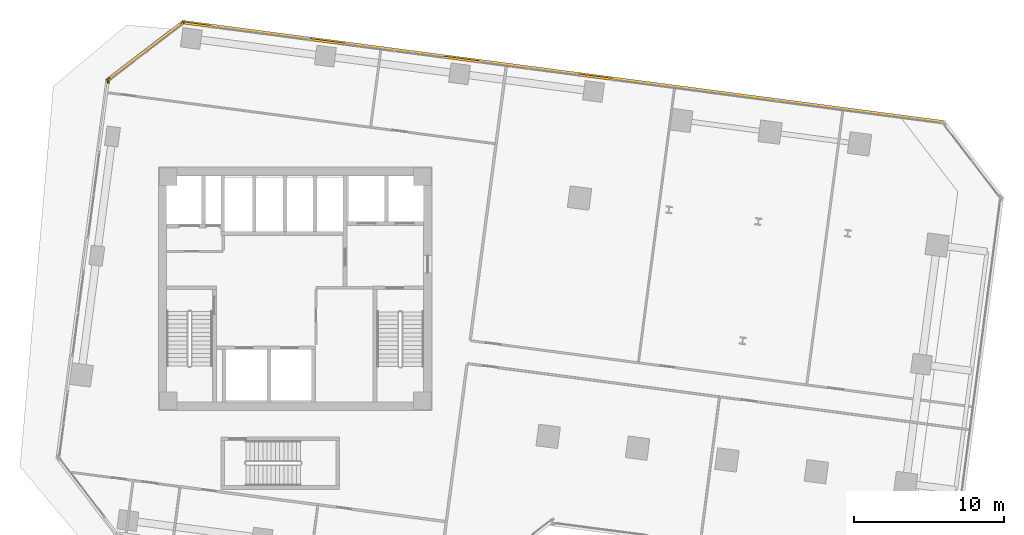
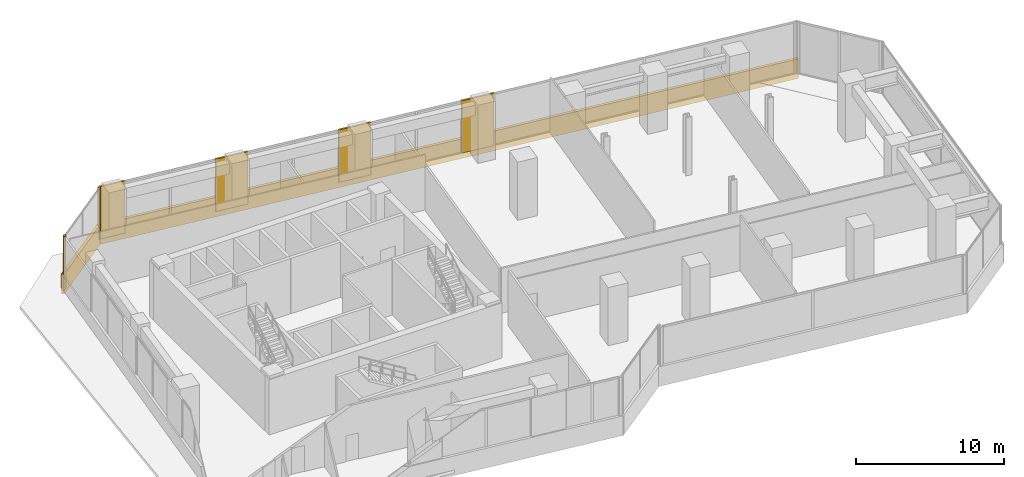
# One storey, part 24 of 24: 9 coverings.
"""IFC4 building model written with IfcOpenShell, lengths in metres."""

from ifc_helpers import new_model, si_unit, direction, frame, origin, origin_2d, place, context, subcontext, project, spatial, rectangle, extrude, source, transform, mapped, material, layer, layer_set, type_object, element, save


model = new_model("IFC4")

# Units and contexts
model_context = context("Model", 3, precision=1e-05, world=origin(), true_north=direction((0.0, 1.0)))
body_context = subcontext(model_context, "Body", "Model", "MODEL_VIEW")
ifc_project = project(units=[si_unit("LENGTHUNIT", "METRE"), si_unit("AREAUNIT", "SQUARE_METRE"), si_unit("VOLUMEUNIT", "CUBIC_METRE"), si_unit("PLANEANGLEUNIT", "RADIAN"), si_unit("MASSUNIT", "GRAM", prefix="KILO")], contexts=[model_context])

# Site, building, storey
site_placement = place(None, origin())
site = spatial("IfcSite", under=ifc_project, at=site_placement, CompositionType="ELEMENT")
building_placement = place(site_placement, origin())
building = spatial("IfcBuilding", under=site, at=building_placement, Name="Torre Montelarca", CompositionType="ELEMENT")
storey_placement = place(building_placement, frame((0.0, 0.0, 61.60009765625)))
storey = spatial("IfcBuildingStorey", under=building, at=storey_placement, Name="L13", CompositionType="ELEMENT", Elevation=61.60009765625)

# Coverings
ifc_material = material(Name="Bush-hammered warm white precast concrete C45/55", Category="concrete")
ifc_layer = layer(ifc_material, 0.139892578125, Name="Bush-hammered warm white precast concrete C45/55", Category="concrete")
ifc_layer_set = layer_set([ifc_layer], Name="Bush-hammered warm white precast concrete C45/55")
covering_type = type_object("IfcCoveringType", Name="COV-TRAY-CLAD", PredefinedType="CLADDING", material=ifc_layer_set)
shared_shape_1 = source(origin(), body_context, "Body", "SweptSolid", [
    extrude(rectangle(XDim=1.864013671875, YDim=0.139892578125, at=origin_2d()), origin(), (0.0, 0.0, 1.0), 4.320068359375),
])
covering_1_placement = place(storey_placement, frame((11.45556640625, 49.5712890625, 0.0), z_axis=(0.0, 0.0, 1.0), x_axis=(-0.991444861374, 0.13052619222, 0.0)))
element("IfcCovering", 1, at=covering_1_placement, inside=storey, type_object=covering_type, Name="L13 Architectural Column Pier Cladding E08-5", PredefinedType="CLADDING", context=body_context, shape_type="MappedRepresentation", body=[
    mapped(shared_shape_1, transform((0.0, 0.0, 0.0), scale=1.0)),
])
shared_shape_2 = source(origin(), body_context, "Body", "SweptSolid", [
    extrude(rectangle(XDim=2.360107421875, YDim=0.139892578125, at=origin_2d()), origin(), (0.0, 0.0, 1.0), 4.320068359375),
])
for number, where, z_axis, x_axis, name in (
    (2, (37.978759765625, 46.07958984375, 0.0), (0.0, 0.0, 1.0), (-0.991444861374, 0.13052619222, 0.0), "L13 Architectural Column Pier Cladding E08-2"),
    (3, (29.0556640625, 47.25439453125, 0.0), (0.0, 0.0, 1.0), (-0.991444861374, 0.13052619222, 0.0), "L13 Architectural Column Pier Cladding E08-3"),
    (4, (20.1328125, 48.42919921875, 0.0), (0.0, 0.0, 1.0), (-0.991444861374, 0.13052619222, 0.0), "L13 Architectural Column Pier Cladding E08-4"),
):
    element("IfcCovering", number, at=place(storey_placement, frame(where, z_axis=z_axis, x_axis=x_axis)), inside=storey, type_object=covering_type, Name=name, PredefinedType="CLADDING", context=body_context, shape_type="MappedRepresentation", body=[
        mapped(shared_shape_2, transform((0.0, 0.0, 0.0), scale=1.0)),
    ])
shared_shape_3 = source(origin(), body_context, "Body", "SweptSolid", [
    extrude(rectangle(XDim=0.199951171875, YDim=0.139892578125, at=origin_2d()), origin(), (0.0, 0.0, 1.0), 4.320068359375),
])
for number, where, z_axis, x_axis, name in (
    (5, (10.490478515625, 49.642578125, 0.0), (0.0, 0.0, 1.0), (-0.793343777791, -0.608773890899, 0.0), "L13 Architectural Column Pier Cladding E09-1"),
    (6, (5.625244140625, 45.9091796875, 0.0), (0.0, 0.0, 1.0), (-0.793343777791, -0.608773890899, 0.0), "L13 Architectural Column Pier Cladding E09-2"),
    (7, (5.552734375, 45.783447265625, 0.0), (0.0, 0.0, 1.0), (-0.130527922618, -0.991444633561, 0.0), "L13 Architectural Column Pier Cladding E10-1"),
):
    element("IfcCovering", number, at=place(storey_placement, frame(where, z_axis=z_axis, x_axis=x_axis)), inside=storey, type_object=covering_type, Name=name, PredefinedType="CLADDING", context=body_context, shape_type="MappedRepresentation", body=[
        mapped(shared_shape_3, transform((0.0, 0.0, 0.0), scale=1.0)),
    ])
shared_shape_4 = source(origin(), body_context, "Body", "SweptSolid", [
    extrude(rectangle(XDim=6.48388671875, YDim=0.219970703125, at=origin_2d()), origin(), (0.0, 0.0, 1.0), 1.6201171875),
])
covering_2_placement = place(storey_placement, frame((8.021240234375, 47.823486328125, -0.4501953125), z_axis=(0.0, 0.0, 1.0), x_axis=(-0.793350152813, -0.608765582989, 0.0)))
element("IfcCovering", 8, at=covering_2_placement, inside=storey, type_object=covering_type, Name="L13 Architectural White Spandrel Tray Band TRYBOT-09", PredefinedType="CLADDING", context=body_context, shape_type="MappedRepresentation", body=[
    mapped(shared_shape_4, transform((0.0, 0.0, 0.0), scale=1.0)),
])
shared_shape_5 = source(origin(), body_context, "Body", "SweptSolid", [
    extrude(rectangle(XDim=51.219970703125, YDim=0.219970703125, at=origin_2d()), origin(), (0.0, 0.0, 1.0), 1.6201171875),
])
covering_3_placement = place(storey_placement, frame((35.85498046875, 46.419677734375, -0.4501953125), z_axis=(0.0, 0.0, 1.0), x_axis=(-0.991444861374, 0.13052619222, 0.0)))
element("IfcCovering", 9, at=covering_3_placement, inside=storey, type_object=covering_type, Name="L13 Architectural White Spandrel Tray Band TRYBOT-08", PredefinedType="CLADDING", context=body_context, shape_type="MappedRepresentation", body=[
    mapped(shared_shape_5, transform((0.0, 0.0, 0.0), scale=1.0)),
])

save(model, "model.ifc")
